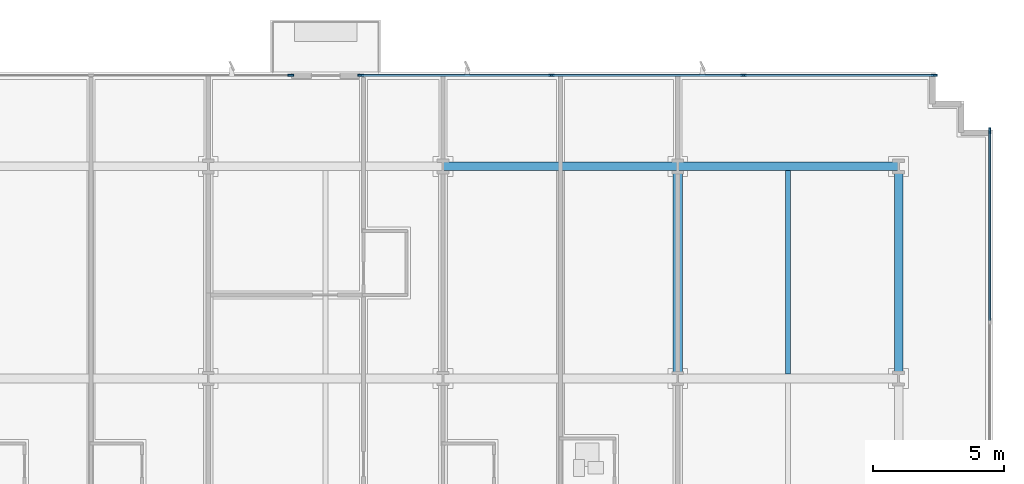
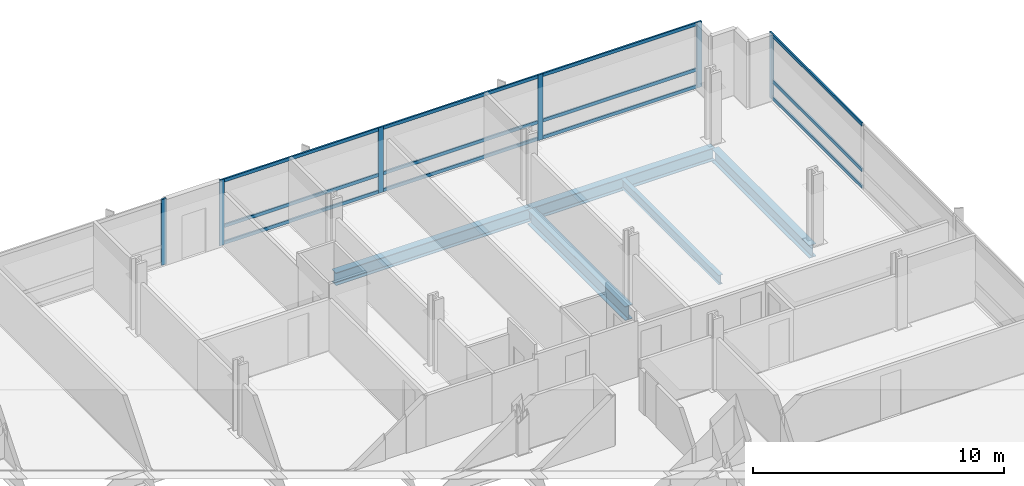
# One storey, part 6 of 16: 18 members, 5 beams, 3 elements without a shape of their own.
"""IFC4 building model written with IfcOpenShell, lengths in metres."""

from ifc_helpers import new_model, si_unit, direction, frame, origin, origin_2d, place, context, subcontext, project, spatial, rectangle, i_section, extrude, material, material_profile, profile_set, type_object, element, aggregate, save


model = new_model("IFC4")

# Units and contexts
model_context = context("Model", 3, precision=1e-05, world=origin(), true_north=direction((0.0, 1.0)))
body_context = subcontext(model_context, "Body", "Model", "MODEL_VIEW")
ifc_project = project(units=[si_unit("LENGTHUNIT", "METRE"), si_unit("AREAUNIT", "SQUARE_METRE"), si_unit("VOLUMEUNIT", "CUBIC_METRE"), si_unit("PLANEANGLEUNIT", "RADIAN"), si_unit("MASSUNIT", "GRAM", prefix="KILO")], contexts=[model_context])

# Site, building, storey
site_placement = place(None, origin())
site = spatial("IfcSite", under=ifc_project, at=site_placement, CompositionType="ELEMENT")
building_placement = place(site_placement, origin())
building = spatial("IfcBuilding", under=site, at=building_placement, Name="Solmavex Isthmus Hotel", CompositionType="ELEMENT")
storey_placement = place(building_placement, frame((0.0, 0.0, 67.800048828125)))
storey = spatial("IfcBuildingStorey", under=building, at=storey_placement, Name="L18", CompositionType="ELEMENT", Elevation=67.800048828125)

# Beams
ifc_material_1 = material(Name="Steel ASTM A992 Grade 50", Category="steel")
ifc_material_profile_1 = material_profile(ifc_material_1, i_section(OverallWidth=0.354736328125, OverallDepth=0.695556640625, WebThickness=0.015380859375, FlangeThickness=0.02490234375, FilletRadius=0.017822265625, at=origin_2d()), Name="W27X146")
ifc_profile_set_1 = profile_set([ifc_material_profile_1], Name="Steel ASTM A992 Grade 50")
beam_type_1 = type_object("IfcBeamType", Name="BM-BG-W27X146", PredefinedType="BEAM", material=ifc_profile_set_1)
beam_1_placement = place(storey_placement, frame((17.951904296875, 8.96533203125, -0.60791015625), z_axis=(0.0, 1.0, 0.0), x_axis=(-1.0, 0.0, 0.0)))
element("IfcBeam", 1, at=beam_1_placement, inside=storey, type_object=beam_type_1, Name="Floor Beam L18-VG45", PredefinedType="BEAM", context=body_context, shape_type="SweptSolid", body=[
    extrude(i_section(OverallWidth=0.354736328125, OverallDepth=0.695556640625, WebThickness=0.015380859375, FlangeThickness=0.02490234375, FilletRadius=0.017822265625, at=origin_2d()), origin(), (0.0, 0.0, 1.0), 7.771484375),
])
ifc_material_profile_2 = material_profile(ifc_material_1, i_section(OverallWidth=0.1904296875, OverallDepth=0.456787109375, WebThickness=0.009033203125, FlangeThickness=0.014404296875, FilletRadius=0.0126953125, at=origin_2d()), Name="W18X50")
ifc_profile_set_2 = profile_set([ifc_material_profile_2], Name="Steel ASTM A992 Grade 50")
beam_type_2 = type_object("IfcBeamType", Name="BM-BJ-W18X50", PredefinedType="JOIST", material=ifc_profile_set_2)
beam_2_placement = place(storey_placement, frame((22.176025390625, 8.96533203125, -0.488525390625), z_axis=(0.0, 1.0, 0.0), x_axis=(-1.0, 0.0, 0.0)))
element("IfcBeam", 2, at=beam_2_placement, inside=storey, type_object=beam_type_2, Name="Secondary Floor Joist L18-J22", PredefinedType="JOIST", context=body_context, shape_type="SweptSolid", body=[
    extrude(i_section(OverallWidth=0.1904296875, OverallDepth=0.456787109375, WebThickness=0.009033203125, FlangeThickness=0.014404296875, FilletRadius=0.0126953125, at=origin_2d()), origin(), (0.0, 0.0, 1.0), 7.771484375),
])
ifc_material_profile_3 = material_profile(ifc_material_1, i_section(OverallWidth=0.326416015625, OverallDepth=0.621826171875, WebThickness=0.015380859375, FlangeThickness=0.0244140625, FilletRadius=0.01513671875, at=origin_2d()), Name="W24X131")
ifc_profile_set_3 = profile_set([ifc_material_profile_3], Name="Steel ASTM A992 Grade 50")
beam_type_3 = type_object("IfcBeamType", Name="BM-SP-W24X131", PredefinedType="SPANDREL", material=ifc_profile_set_3)
beam_3_placement = place(storey_placement, frame((8.97607421875, 16.89990234375, -0.571044921875), z_axis=(1.0, 0.0, 0.0), x_axis=(0.0, 1.0, 0.0)))
element("IfcBeam", 3, at=beam_3_placement, inside=storey, type_object=beam_type_3, Name="Floor Girder L18-UG23", PredefinedType="SPANDREL", context=body_context, shape_type="SweptSolid", body=[
    extrude(i_section(OverallWidth=0.326416015625, OverallDepth=0.621826171875, WebThickness=0.015380859375, FlangeThickness=0.0244140625, FilletRadius=0.01513671875, at=origin_2d()), origin(), (0.0, 0.0, 1.0), 8.975830078125),
])
beam_4_placement = place(storey_placement, frame((17.951904296875, 16.89990234375, -0.571044921875), z_axis=(1.0, 0.0, 0.0), x_axis=(0.0, 1.0, 0.0)))
element("IfcBeam", 4, at=beam_4_placement, inside=storey, type_object=beam_type_3, Name="Floor Girder L18-UG24", PredefinedType="SPANDREL", context=body_context, shape_type="SweptSolid", body=[
    extrude(i_section(OverallWidth=0.326416015625, OverallDepth=0.621826171875, WebThickness=0.015380859375, FlangeThickness=0.0244140625, FilletRadius=0.01513671875, at=origin_2d()), origin(), (0.0, 0.0, 1.0), 8.447998046875),
])
beam_5_placement = place(storey_placement, frame((26.39990234375, 8.96533203125, -0.571044921875), z_axis=(0.0, 1.0, 0.0), x_axis=(-1.0, 0.0, 0.0)))
element("IfcBeam", 5, at=beam_5_placement, inside=storey, type_object=beam_type_3, Name="Floor Beam L18-VG48", PredefinedType="SPANDREL", context=body_context, shape_type="SweptSolid", body=[
    extrude(i_section(OverallWidth=0.326416015625, OverallDepth=0.621826171875, WebThickness=0.015380859375, FlangeThickness=0.0244140625, FilletRadius=0.01513671875, at=origin_2d()), origin(), (0.0, 0.0, 1.0), 7.771484375),
])

# Curtain wall, member
ifc_material_2 = material(Name="Aluminium alloy 6063-T6", Category="aluminium")
curtain_wall_type = type_object("IfcCurtainWallType", Name="CW-SYS-02", PredefinedType="NOTDEFINED", material=ifc_material_2)
curtain_wall_1_placement = place(storey_placement, origin())
curtain_wall_1 = element("IfcCurtainWall", 6, at=curtain_wall_1_placement, inside=storey, type_object=curtain_wall_type, Name="Stick Curtain Wall CWL-L18-N2", PredefinedType="NOTDEFINED")
ifc_material_profile_4 = material_profile(ifc_material_2, rectangle(XDim=0.074951171875, YDim=0.219970703125, at=origin_2d()), Name="CWM-75X220")
ifc_profile_set_4 = profile_set([ifc_material_profile_4], Name="Aluminium alloy 6063-T6")
member_type_1 = type_object("IfcMemberType", Name="CW-SYS-02-MUL", PredefinedType="MULLION", material=ifc_profile_set_4)
member_1_placement = place(storey_placement, frame((3.150390625, 20.3798828125, 0.0), z_axis=(0.0, 0.0, 1.0), x_axis=(0.0, 1.0, 0.0)))
member_1 = element("IfcMember", 7, at=member_1_placement, type_object=member_type_1, Name="CW-02 mullion 3", PredefinedType="MULLION", context=body_context, shape_type="SweptSolid", body=[
    extrude(rectangle(XDim=0.074951171875, YDim=0.219970703125, at=origin_2d()), origin(), (0.0, 0.0, 1.0), 3.18994140625),
])
aggregate(curtain_wall_1, [member_1])

# Curtain wall, members
curtain_wall_2_placement = place(storey_placement, origin())
curtain_wall_2 = element("IfcCurtainWall", 8, at=curtain_wall_2_placement, inside=storey, type_object=curtain_wall_type, Name="Stick Curtain Wall CWL-L18-N3", PredefinedType="NOTDEFINED")
member_2_placement = place(storey_placement, frame((5.825439453125, 20.3798828125, 0.0), z_axis=(0.0, 0.0, 1.0), x_axis=(0.0, 1.0, 0.0)))
member_2 = element("IfcMember", 9, at=member_2_placement, type_object=member_type_1, Name="CW-02 mullion 1", PredefinedType="MULLION", context=body_context, shape_type="SweptSolid", body=[
    extrude(rectangle(XDim=0.074951171875, YDim=0.219970703125, at=origin_2d()), origin(), (0.0, 0.0, 1.0), 3.18994140625),
])
member_3_placement = place(storey_placement, frame((13.125244140625, 20.3798828125, 0.0), z_axis=(0.0, 0.0, 1.0), x_axis=(0.0, 1.0, 0.0)))
member_3 = element("IfcMember", 10, at=member_3_placement, type_object=member_type_1, Name="CW-02 mullion 2", PredefinedType="MULLION", context=body_context, shape_type="SweptSolid", body=[
    extrude(rectangle(XDim=0.074951171875, YDim=0.219970703125, at=origin_2d()), origin(), (0.0, 0.0, 1.0), 3.18994140625),
])
member_4_placement = place(storey_placement, frame((20.462646484375, 20.3798828125, 0.0), z_axis=(0.0, 0.0, 1.0), x_axis=(0.0, 1.0, 0.0)))
member_4 = element("IfcMember", 11, at=member_4_placement, type_object=member_type_1, Name="CW-02 mullion 3", PredefinedType="MULLION", context=body_context, shape_type="SweptSolid", body=[
    extrude(rectangle(XDim=0.074951171875, YDim=0.219970703125, at=origin_2d()), origin(), (0.0, 0.0, 1.0), 3.18994140625),
])
member_5_placement = place(storey_placement, frame((27.762451171875, 20.3798828125, 0.0), z_axis=(0.0, 0.0, 1.0), x_axis=(0.0, 1.0, 0.0)))
member_5 = element("IfcMember", 12, at=member_5_placement, type_object=member_type_1, Name="CW-02 mullion 4", PredefinedType="MULLION", context=body_context, shape_type="SweptSolid", body=[
    extrude(rectangle(XDim=0.074951171875, YDim=0.219970703125, at=origin_2d()), origin(), (0.0, 0.0, 1.0), 3.18994140625),
])

# Curtain wall, member
curtain_wall_3_placement = place(storey_placement, origin())
curtain_wall_3 = element("IfcCurtainWall", 13, at=curtain_wall_3_placement, inside=storey, type_object=curtain_wall_type, Name="Stick Curtain Wall CWL-L18-E1", PredefinedType="NOTDEFINED")
member_6_placement = place(storey_placement, frame((29.8798828125, 18.262451171875, 0.0), z_axis=(0.0, 0.0, 1.0), x_axis=(-1.0, 0.0, 0.0)))
member_6 = element("IfcMember", 14, at=member_6_placement, type_object=member_type_1, Name="CW-02 mullion 6", PredefinedType="MULLION", context=body_context, shape_type="SweptSolid", body=[
    extrude(rectangle(XDim=0.074951171875, YDim=0.219970703125, at=origin_2d()), origin(), (0.0, 0.0, 1.0), 3.18994140625),
])

# Member
ifc_material_profile_5 = material_profile(ifc_material_2, rectangle(XDim=0.074951171875, YDim=0.159912109375, at=origin_2d()), Name="CWT-75X160")
ifc_profile_set_5 = profile_set([ifc_material_profile_5], Name="Aluminium alloy 6063-T6")
member_type_2 = type_object("IfcMemberType", Name="CW-SYS-02-TRN", PredefinedType="USERDEFINED", material=ifc_profile_set_5)
member_7_placement = place(storey_placement, frame((5.863037109375, 20.3798828125, 0.079833984375), z_axis=(1.0, 0.0, 0.0), x_axis=(0.0, 1.0, 0.0)))
member_7 = element("IfcMember", 15, at=member_7_placement, type_object=member_type_2, Name="CW-02 transom 1.1", ObjectType="TRANSOM", PredefinedType="USERDEFINED", context=body_context, shape_type="SweptSolid", body=[
    extrude(rectangle(XDim=0.074951171875, YDim=0.159912109375, at=origin_2d()), origin(), (0.0, 0.0, 1.0), 7.224853515625),
])

member_8_placement = place(storey_placement, frame((5.863037109375, 20.3798828125, 0.89990234375), z_axis=(1.0, 0.0, 0.0), x_axis=(0.0, 1.0, 0.0)))
member_8 = element("IfcMember", 16, at=member_8_placement, type_object=member_type_2, Name="CW-02 transom 1.2", ObjectType="TRANSOM", PredefinedType="USERDEFINED", context=body_context, shape_type="SweptSolid", body=[
    extrude(rectangle(XDim=0.074951171875, YDim=0.159912109375, at=origin_2d()), origin(), (0.0, 0.0, 1.0), 7.224853515625),
])

member_9_placement = place(storey_placement, frame((5.863037109375, 20.3798828125, 3.10986328125), z_axis=(1.0, 0.0, 0.0), x_axis=(0.0, 1.0, 0.0)))
member_9 = element("IfcMember", 17, at=member_9_placement, type_object=member_type_2, Name="CW-02 transom 1.3", ObjectType="TRANSOM", PredefinedType="USERDEFINED", context=body_context, shape_type="SweptSolid", body=[
    extrude(rectangle(XDim=0.074951171875, YDim=0.159912109375, at=origin_2d()), origin(), (0.0, 0.0, 1.0), 7.224853515625),
])

member_10_placement = place(storey_placement, frame((13.162841796875, 20.3798828125, 0.079833984375), z_axis=(1.0, 0.0, 0.0), x_axis=(0.0, 1.0, 0.0)))
member_10 = element("IfcMember", 18, at=member_10_placement, type_object=member_type_2, Name="CW-02 transom 2.1", ObjectType="TRANSOM", PredefinedType="USERDEFINED", context=body_context, shape_type="SweptSolid", body=[
    extrude(rectangle(XDim=0.074951171875, YDim=0.159912109375, at=origin_2d()), origin(), (0.0, 0.0, 1.0), 7.26220703125),
])

member_11_placement = place(storey_placement, frame((13.162841796875, 20.3798828125, 0.89990234375), z_axis=(1.0, 0.0, 0.0), x_axis=(0.0, 1.0, 0.0)))
member_11 = element("IfcMember", 19, at=member_11_placement, type_object=member_type_2, Name="CW-02 transom 2.2", ObjectType="TRANSOM", PredefinedType="USERDEFINED", context=body_context, shape_type="SweptSolid", body=[
    extrude(rectangle(XDim=0.074951171875, YDim=0.159912109375, at=origin_2d()), origin(), (0.0, 0.0, 1.0), 7.26220703125),
])

member_12_placement = place(storey_placement, frame((13.162841796875, 20.3798828125, 3.10986328125), z_axis=(1.0, 0.0, 0.0), x_axis=(0.0, 1.0, 0.0)))
member_12 = element("IfcMember", 20, at=member_12_placement, type_object=member_type_2, Name="CW-02 transom 2.3", ObjectType="TRANSOM", PredefinedType="USERDEFINED", context=body_context, shape_type="SweptSolid", body=[
    extrude(rectangle(XDim=0.074951171875, YDim=0.159912109375, at=origin_2d()), origin(), (0.0, 0.0, 1.0), 7.26220703125),
])

member_13_placement = place(storey_placement, frame((20.500244140625, 20.3798828125, 0.079833984375), z_axis=(1.0, 0.0, 0.0), x_axis=(0.0, 1.0, 0.0)))
member_13 = element("IfcMember", 21, at=member_13_placement, type_object=member_type_2, Name="CW-02 transom 3.1", ObjectType="TRANSOM", PredefinedType="USERDEFINED", context=body_context, shape_type="SweptSolid", body=[
    extrude(rectangle(XDim=0.074951171875, YDim=0.159912109375, at=origin_2d()), origin(), (0.0, 0.0, 1.0), 7.224853515625),
])

member_14_placement = place(storey_placement, frame((20.500244140625, 20.3798828125, 0.89990234375), z_axis=(1.0, 0.0, 0.0), x_axis=(0.0, 1.0, 0.0)))
member_14 = element("IfcMember", 22, at=member_14_placement, type_object=member_type_2, Name="CW-02 transom 3.2", ObjectType="TRANSOM", PredefinedType="USERDEFINED", context=body_context, shape_type="SweptSolid", body=[
    extrude(rectangle(XDim=0.074951171875, YDim=0.159912109375, at=origin_2d()), origin(), (0.0, 0.0, 1.0), 7.224853515625),
])

member_15_placement = place(storey_placement, frame((20.500244140625, 20.3798828125, 3.10986328125), z_axis=(1.0, 0.0, 0.0), x_axis=(0.0, 1.0, 0.0)))
member_15 = element("IfcMember", 23, at=member_15_placement, type_object=member_type_2, Name="CW-02 transom 3.3", ObjectType="TRANSOM", PredefinedType="USERDEFINED", context=body_context, shape_type="SweptSolid", body=[
    extrude(rectangle(XDim=0.074951171875, YDim=0.159912109375, at=origin_2d()), origin(), (0.0, 0.0, 1.0), 7.224853515625),
])

aggregate(curtain_wall_2, [member_2, member_3, member_4, member_5, member_7, member_8, member_9, member_10, member_11, member_12, member_13, member_14, member_15])

member_16_placement = place(storey_placement, frame((29.8798828125, 11.017578125, 0.079833984375), z_axis=(0.0, 1.0, 0.0), x_axis=(-1.0, 0.0, 0.0)))
member_16 = element("IfcMember", 24, at=member_16_placement, type_object=member_type_2, Name="CW-02 transom 5.1", ObjectType="TRANSOM", PredefinedType="USERDEFINED", context=body_context, shape_type="SweptSolid", body=[
    extrude(rectangle(XDim=0.074951171875, YDim=0.159912109375, at=origin_2d()), origin(), (0.0, 0.0, 1.0), 7.20751953125),
])

member_17_placement = place(storey_placement, frame((29.8798828125, 11.017578125, 0.89990234375), z_axis=(0.0, 1.0, 0.0), x_axis=(-1.0, 0.0, 0.0)))
member_17 = element("IfcMember", 25, at=member_17_placement, type_object=member_type_2, Name="CW-02 transom 5.2", ObjectType="TRANSOM", PredefinedType="USERDEFINED", context=body_context, shape_type="SweptSolid", body=[
    extrude(rectangle(XDim=0.074951171875, YDim=0.159912109375, at=origin_2d()), origin(), (0.0, 0.0, 1.0), 7.20751953125),
])

member_18_placement = place(storey_placement, frame((29.8798828125, 11.017578125, 3.10986328125), z_axis=(0.0, 1.0, 0.0), x_axis=(-1.0, 0.0, 0.0)))
member_18 = element("IfcMember", 26, at=member_18_placement, type_object=member_type_2, Name="CW-02 transom 5.3", ObjectType="TRANSOM", PredefinedType="USERDEFINED", context=body_context, shape_type="SweptSolid", body=[
    extrude(rectangle(XDim=0.074951171875, YDim=0.159912109375, at=origin_2d()), origin(), (0.0, 0.0, 1.0), 7.20751953125),
])

aggregate(curtain_wall_3, [member_6, member_16, member_17, member_18])

save(model, "model.ifc")
